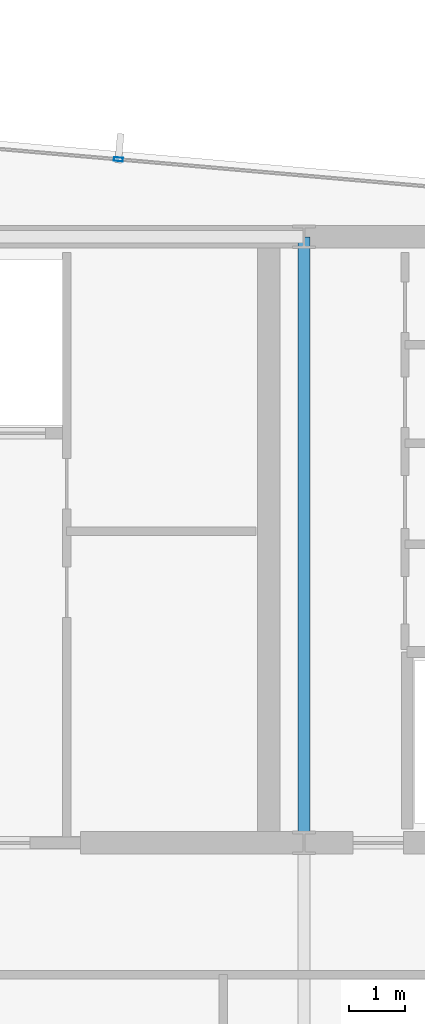
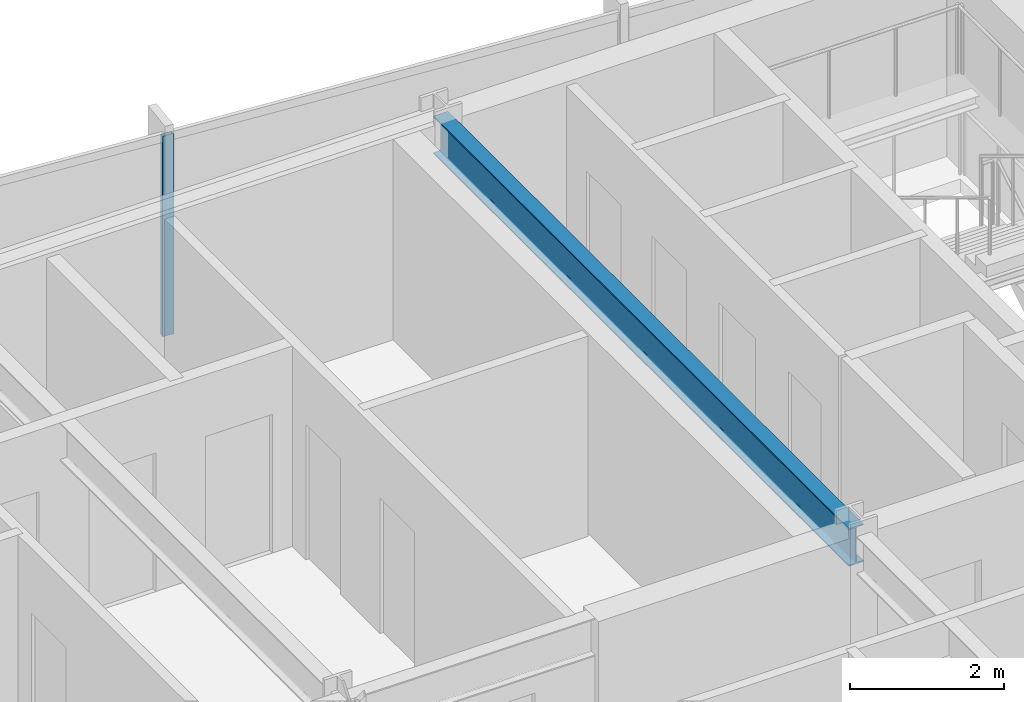
# One storey, part 19 of 32: 1 beam, 1 member, 1 element without a shape of its own.
"""IFC4 building model written with IfcOpenShell, lengths in metres."""

from ifc_helpers import new_model, si_unit, direction, frame, origin, origin_2d, place, context, subcontext, project, spatial, hollow_rectangle, i_section, extrude, material, material_profile, profile_set, type_object, element, aggregate, save


model = new_model("IFC4")

# Units and contexts
model_context = context("Model", 3, precision=1e-05, world=origin(), true_north=direction((0.0, 1.0)))
body_context = subcontext(model_context, "Body", "Model", "MODEL_VIEW")
ifc_project = project(units=[si_unit("LENGTHUNIT", "METRE"), si_unit("AREAUNIT", "SQUARE_METRE"), si_unit("VOLUMEUNIT", "CUBIC_METRE"), si_unit("PLANEANGLEUNIT", "RADIAN"), si_unit("MASSUNIT", "GRAM", prefix="KILO")], contexts=[model_context])

# Site, building, storey
site_placement = place(None, origin())
site = spatial("IfcSite", under=ifc_project, at=site_placement, CompositionType="ELEMENT")
building_placement = place(site_placement, origin())
building = spatial("IfcBuilding", under=site, at=building_placement, Name="Yelkora Congress Tower", CompositionType="ELEMENT")
storey_placement = place(building_placement, frame((0.0, 0.0, 269.300048828125)))
storey = spatial("IfcBuildingStorey", under=building, at=storey_placement, Name="L75", CompositionType="ELEMENT", Elevation=269.300048828125)

# Beam
ifc_material_1 = material(Name="Steel S355J2", Category="steel")
ifc_material_profile_1 = material_profile(ifc_material_1, i_section(OverallWidth=0.219970703125, OverallDepth=0.60009765625, WebThickness=0.011962890625, FlangeThickness=0.01904296875, FilletRadius=0.02392578125, at=origin_2d()), Name="IPE 600")
ifc_profile_set_1 = profile_set([ifc_material_profile_1], Name="Steel S355J2")
beam_type = type_object("IfcBeamType", Name="BM-GIRD-IPE600", PredefinedType="BEAM", material=ifc_profile_set_1)
beam_placement = place(storey_placement, frame((46.080078125, 35.39990234375, 2.8798828125), z_axis=(0.0, 1.0, 0.0), x_axis=(-1.0, 0.0, 0.0)))
element("IfcBeam", 1, at=beam_placement, inside=storey, type_object=beam_type, Name="L75 Core Tie Girder MC-S4", PredefinedType="BEAM", context=body_context, shape_type="SweptSolid", body=[
    extrude(i_section(OverallWidth=0.219970703125, OverallDepth=0.60009765625, WebThickness=0.011962890625, FlangeThickness=0.01904296875, FilletRadius=0.02392578125, at=origin_2d()), origin(), (0.0, 0.0, 1.0), 10.800048828125),
])

# Curtain wall, member
ifc_material_2 = material(Name="Anodised aluminium and insulated glass", Category="aluminium")
curtain_wall_type = type_object("IfcCurtainWallType", Name="CW-SYS-B5", PredefinedType="NOTDEFINED", material=ifc_material_2)
curtain_wall_placement = place(storey_placement, origin())
curtain_wall = element("IfcCurtainWall", 2, at=curtain_wall_placement, inside=storey, type_object=curtain_wall_type, Name="L75 Unitised Curtain Wall 10", PredefinedType="NOTDEFINED")
ifc_material_3 = material(Name="Anodised aluminium 6063-T6", Category="aluminium")
ifc_material_profile_2 = material_profile(ifc_material_3, hollow_rectangle(XDim=0.06494140625, YDim=0.159912109375, WallThickness=0.00390625, at=origin_2d()), Name="ALU 65x160x4")
ifc_profile_set_2 = profile_set([ifc_material_profile_2], Name="Anodised aluminium 6063-T6")
member_type = type_object("IfcMemberType", Name="MEM-ML-B5", PredefinedType="MULLION", material=ifc_profile_set_2)
member_placement = place(storey_placement, frame((42.77294921875, 47.58154296875, 0.0), z_axis=(0.0, 0.0, 1.0), x_axis=(0.087156639893, 0.996194619601, 0.0)))
member = element("IfcMember", 3, at=member_placement, type_object=member_type, Name="CW-B5 mullion 6", PredefinedType="MULLION", context=body_context, shape_type="SweptSolid", body=[
    extrude(hollow_rectangle(XDim=0.06494140625, YDim=0.159912109375, WallThickness=0.00390625, at=origin_2d()), origin(), (0.0, 0.0, 1.0), 3.179931640625),
])
aggregate(curtain_wall, [member])

save(model, "model.ifc")
